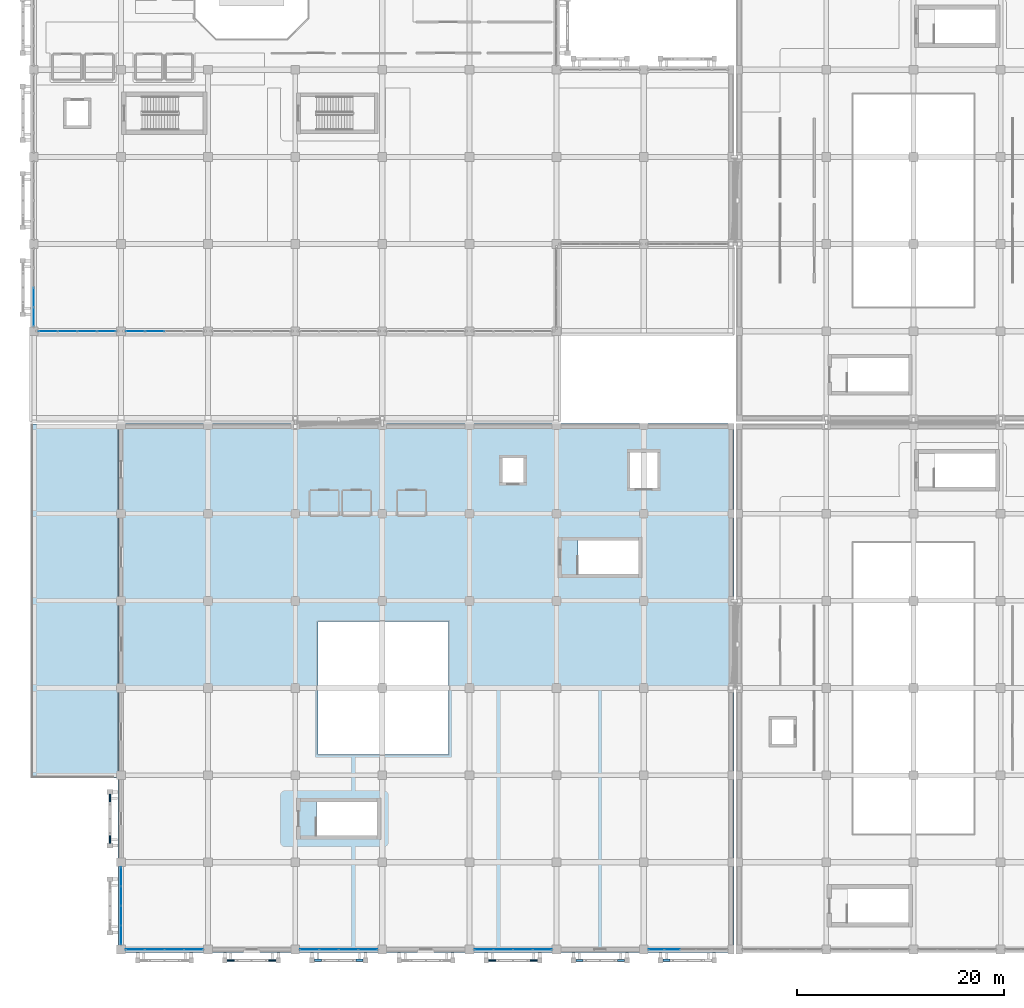
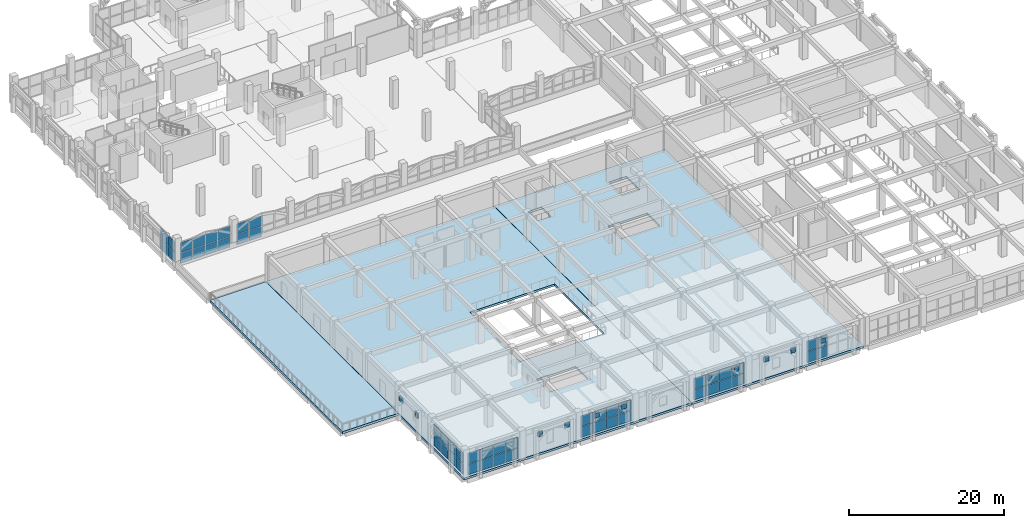
# One storey, part 83 of 129: 63 plates, 3 slabs, 8 elements without a shape of their own.
"""IFC4 building model written with IfcOpenShell, lengths in metres."""

import ifcopenshell
import ifcopenshell.guid

model = None  # the IFC model being written
_history = None  # IfcOwnerHistory: only IFC2X3 demands one
_inside = {}  # id of a spatial element -> (the spatial element, [elements in it])
_under = {}  # id of a project, library or spatial element -> (it, [spatial elements below it])
_declared = {}  # id of a project -> (the project, [libraries it declares])
_typed = {}  # id of a type object -> (the type object, [elements of that type])
_made_of = {}  # id of a material, layer set ... -> (it, [elements and type objects made of it])


def new_model(schema):
    """Start an empty IFC model of exactly this schema.

    Asked for "IFC4X3", IfcOpenShell would pick the latest addendum, in which some entities
    have other attributes; the version numbers below select the first issue.
    IFC2X3 requires an IfcOwnerHistory on every rooted entity: one is made here for all.
    """
    global model, _history
    if schema == "IFC4X3":
        model = ifcopenshell.file(schema_version=(4, 3, 0, 0))
    else:
        model = ifcopenshell.file(schema=schema)
    _inside.clear()
    _under.clear()
    _declared.clear()
    _typed.clear()
    _made_of.clear()
    _history = None
    if model.schema == "IFC2X3":
        org = make("IfcOrganization", Name="unknown")
        user = make(
            "IfcPersonAndOrganization",
            ThePerson=make("IfcPerson", FamilyName="unknown"),
            TheOrganization=org,
        )
        app = make(
            "IfcApplication",
            ApplicationDeveloper=org,
            Version="unknown",
            ApplicationFullName="unknown",
            ApplicationIdentifier="unknown",
        )
        _history = make(
            "IfcOwnerHistory",
            OwningUser=user,
            OwningApplication=app,
            ChangeAction="ADDED",
            CreationDate=0,
        )
    return model


def make(cls, **values):
    """One entity of the class cls with the attributes given. An attribute that is None is left unset."""
    return model.create_entity(
        cls, **{name: value for name, value in values.items() if value is not None}
    )


def rooted(cls, **values):
    """An entity with a GlobalId (a new one), such as an element, a storey or a relation."""
    return make(cls, GlobalId=ifcopenshell.guid.new(), OwnerHistory=_history, **values)


def si_unit(unit_type, name, prefix=None):
    """IfcSIUnit, for example si_unit("LENGTHUNIT", "METRE", prefix="MILLI")."""
    return make("IfcSIUnit", UnitType=unit_type, Prefix=prefix, Name=name)


def assignment(units):
    """IfcUnitAssignment: the units of a project."""
    return None if units is None else make("IfcUnitAssignment", Units=units)


def point(xyz):
    """IfcCartesianPoint."""
    return None if xyz is None else make("IfcCartesianPoint", Coordinates=xyz)


def direction(xyz):
    """IfcDirection."""
    return None if xyz is None else make("IfcDirection", DirectionRatios=xyz)


def frame(location, z_axis=None, x_axis=None):
    """IfcAxis2Placement3D, a coordinate frame: its origin and axes. An axis left out is left unset."""
    return make(
        "IfcAxis2Placement3D",
        Location=point(location),
        Axis=direction(z_axis),
        RefDirection=direction(x_axis),
    )


def frame_2d(location, x_axis=None):
    """IfcAxis2Placement2D, a coordinate frame in the plane: its origin and x axis."""
    return make(
        "IfcAxis2Placement2D", Location=point(location), RefDirection=direction(x_axis)
    )


def origin():
    """The frame at (0, 0, 0) with its axes left unset."""
    return frame((0.0, 0.0, 0.0))


def origin_2d():
    """The frame at (0, 0) in the plane with its x axis left unset."""
    return frame_2d((0.0, 0.0))


def place(relative_to, where):
    """IfcLocalPlacement: puts the frame where relative to a parent placement (None: the world)."""
    return make(
        "IfcLocalPlacement", PlacementRelTo=relative_to, RelativePlacement=where
    )


def context(
    kind, dimensions, precision=None, world=None, true_north=None, identifier=None
):
    """IfcGeometricRepresentationContext, for example the 3D "Model" context."""
    return make(
        "IfcGeometricRepresentationContext",
        ContextIdentifier=identifier,
        ContextType=kind,
        CoordinateSpaceDimension=dimensions,
        Precision=precision,
        WorldCoordinateSystem=world,
        TrueNorth=true_north,
    )


def subcontext(parent, identifier, kind, view, scale=None):
    """IfcGeometricRepresentationSubContext, for example "Body" below "Model"."""
    return make(
        "IfcGeometricRepresentationSubContext",
        ContextIdentifier=identifier,
        ContextType=kind,
        ParentContext=parent,
        TargetScale=scale,
        TargetView=view,
    )


def project(units=None, contexts=None):
    """IfcProject with its units and contexts."""
    return rooted(
        "IfcProject",
        Name="project",
        RepresentationContexts=contexts,
        UnitsInContext=assignment(units),
    )


def spatial(cls, under=None, at=None, **own):
    """A site, building, storey or space (cls), placed at a placement, below another one or the project."""
    s = rooted(cls, ObjectPlacement=at, **own)
    if under is not None:
        _under.setdefault(under.id(), (under, []))[1].append(s)
    return s


def polyline(points):
    """IfcPolyline through the points."""
    return make("IfcPolyline", Points=[point(p) for p in points])


def profile(cls, at=None, kind="AREA", **sizes):
    """A parametric profile (cls). Its sizes go by their IFC names, for example OverallWidth=200.0."""
    return make(cls, ProfileType=kind, Position=at, **sizes)


def rectangle(**sizes):
    """IfcRectangleProfileDef."""
    return profile("IfcRectangleProfileDef", **sizes)


def outline(outer, holes=None, kind="AREA"):
    """IfcArbitraryClosedProfileDef: a profile drawn as a closed curve; with holes, ...WithVoids."""
    if holes is None:
        return make("IfcArbitraryClosedProfileDef", ProfileType=kind, OuterCurve=outer)
    return make(
        "IfcArbitraryProfileDefWithVoids",
        ProfileType=kind,
        OuterCurve=outer,
        InnerCurves=holes,
    )


def extrude(swept, where, along, depth):
    """IfcExtrudedAreaSolid: the profile swept, set in the frame where, extruded along a direction by depth."""
    return make(
        "IfcExtrudedAreaSolid",
        SweptArea=swept,
        Position=where,
        ExtrudedDirection=direction(along),
        Depth=depth,
    )


def shape(context_of_items, identifier, shape_type, items):
    """IfcShapeRepresentation: the items that make up one representation, for example the "Body"."""
    return make(
        "IfcShapeRepresentation",
        ContextOfItems=context_of_items,
        RepresentationIdentifier=identifier,
        RepresentationType=shape_type,
        Items=items,
    )


def material(Name=None, Category=None):
    """IfcMaterial."""
    return make("IfcMaterial", Name=Name, Category=Category)


def layer(
    of_material, thickness, ventilated=None, Name=None, Category=None, Priority=None
):
    """IfcMaterialLayer: one layer of a wall or slab, of a material (None: an air gap)."""
    return make(
        "IfcMaterialLayer",
        Material=of_material,
        LayerThickness=thickness,
        IsVentilated=ventilated,
        Name=Name,
        Category=Category,
        Priority=Priority,
    )


def layer_set(layers, Name=None):
    """IfcMaterialLayerSet."""
    return make("IfcMaterialLayerSet", MaterialLayers=layers, LayerSetName=Name)


def made_of(thing, what):
    """Note that an element or type object is made of a material, layer set ...; save() writes the relation."""
    if what is not None:
        _made_of.setdefault(what.id(), (what, []))[1].append(thing)
    return thing


def type_object(cls, material=None, **own):
    """A type object (cls), such as IfcWallType, which elements share."""
    return made_of(rooted(cls, **own), material)


def element(
    cls,
    number,
    at=None,
    inside=None,
    cuts=None,
    type_object=None,
    material=None,
    context=None,
    identifier="Body",
    shape_type=None,
    held_by="IfcProductDefinitionShape",
    body=None,
    shapes=None,
    **own,
):
    """One element of the class cls, such as IfcWall. Its Tag is "e" and its number.

    at: its placement. inside: the storey or other place that contains it. cuts: it is an
    opening in that element (IfcRelVoidsElement). A single representation is given by context,
    identifier, shape_type and body (its items); several are given by shapes. held_by: the class
    of the entity that holds the representations. save() writes the other relations.
    """
    e = rooted(cls, Tag="e%d" % number, ObjectPlacement=at, **own)
    if body is not None:
        shapes = [shape(context, identifier, shape_type, body)]
    if shapes is not None:
        e.Representation = make(held_by, Representations=shapes)
    if inside is not None:
        _inside.setdefault(inside.id(), (inside, []))[1].append(e)
    if cuts is not None:
        rooted(
            "IfcRelVoidsElement", RelatingBuildingElement=cuts, RelatedOpeningElement=e
        )
    if type_object is not None:
        _typed.setdefault(type_object.id(), (type_object, []))[1].append(e)
    return made_of(e, material)


def aggregate(whole, parts):
    """IfcRelAggregates: a whole, such as a stair, and the parts it consists of."""
    return rooted("IfcRelAggregates", RelatingObject=whole, RelatedObjects=parts)


def save(model, path):
    """Write the relations noted so far, then the file.

    IfcRelAggregates (storeys below a building ...), IfcRelContainedInSpatialStructure (elements
    in a storey), IfcRelDefinesByType, IfcRelAssociatesMaterial and IfcRelDeclares: one each for
    every whole, place, type object, material and project.
    """
    for whole, parts in _under.values():
        aggregate(whole, parts)
    for where, things in _inside.values():
        rooted(
            "IfcRelContainedInSpatialStructure",
            RelatedElements=things,
            RelatingStructure=where,
        )
    for kind, things in _typed.values():
        rooted("IfcRelDefinesByType", RelatedObjects=things, RelatingType=kind)
    for what, things in _made_of.values():
        rooted("IfcRelAssociatesMaterial", RelatedObjects=things, RelatingMaterial=what)
    for by, libraries in _declared.values():
        rooted("IfcRelDeclares", RelatingContext=by, RelatedDefinitions=libraries)
    model.write(path)


model = new_model("IFC4")

# Units and contexts
model_context = context("Model", 3, precision=1e-05, world=origin(), true_north=direction((0.0, 1.0)))
body_context = subcontext(model_context, "Body", "Model", "MODEL_VIEW")
ifc_project = project(units=[si_unit("LENGTHUNIT", "METRE"), si_unit("AREAUNIT", "SQUARE_METRE"), si_unit("VOLUMEUNIT", "CUBIC_METRE"), si_unit("PLANEANGLEUNIT", "RADIAN"), si_unit("MASSUNIT", "GRAM", prefix="KILO")], contexts=[model_context])

# Site, building, storey
site_placement = place(None, origin())
site = spatial("IfcSite", under=ifc_project, at=site_placement, CompositionType="ELEMENT")
building_placement = place(site_placement, origin())
building = spatial("IfcBuilding", under=site, at=building_placement, Name="Xazarin Passage Department Store", CompositionType="ELEMENT")
storey_placement = place(building_placement, frame((0.0, 0.0, 9.89990234375)))
storey = spatial("IfcBuildingStorey", under=building, at=storey_placement, Name="L02", CompositionType="ELEMENT", Elevation=9.89990234375)

# Curtain wall, plates
ifc_material_1 = material(Name="Bronze anodised aluminium", Category="aluminium")
ifc_layer_1 = layer(ifc_material_1, 0.18994140625)
ifc_layer_set_1 = layer_set([ifc_layer_1], Name="Bronze anodised aluminium")
curtain_wall_type_1 = type_object("IfcCurtainWallType", Name="ARC-CW-FDH1", PredefinedType="NOTDEFINED", material=ifc_layer_set_1)
curtain_wall_1_placement = place(storey_placement, origin())
curtain_wall_1 = element("IfcCurtainWall", 1, at=curtain_wall_1_placement, inside=storey, type_object=curtain_wall_type_1, Name="L02 V3 Curtain Wall 130", PredefinedType="NOTDEFINED")
ifc_material_2 = material(Name="Low-E laminated safety glass", Category="glass")
ifc_layer_2 = layer(ifc_material_2, 0.028076171875)
ifc_layer_set_2 = layer_set([ifc_layer_2], Name="Low-E laminated safety glass")
plate_type_1 = type_object("IfcPlateType", Name="ARC-CWP-GLZ28", PredefinedType="CURTAIN_PANEL", material=ifc_layer_set_2)
plate_1_placement = place(storey_placement, frame((9.784912109375, 0.0, 0.065185546875), z_axis=(0.0, 0.0, 1.0), x_axis=(1.0, 0.0, 0.0)))
plate_1 = element("IfcPlate", 2, at=plate_1_placement, type_object=plate_type_1, Name="CW5 panel 1.1", PredefinedType="CURTAIN_PANEL", context=body_context, shape_type="SweptSolid", body=[
    extrude(rectangle(XDim=1.7900390625, YDim=0.028076171875, at=origin_2d()), origin(), (0.0, 0.0, 1.0), 1.6474609375),
])
plate_2_placement = place(storey_placement, frame((9.784912109375, 0.0, 1.777587890625), z_axis=(0.0, 0.0, 1.0), x_axis=(1.0, 0.0, 0.0)))
plate_2 = element("IfcPlate", 3, at=plate_2_placement, type_object=plate_type_1, Name="CW5 panel 1.2", PredefinedType="CURTAIN_PANEL", context=body_context, shape_type="SweptSolid", body=[
    extrude(rectangle(XDim=1.7900390625, YDim=0.028076171875, at=origin_2d()), origin(), (0.0, 0.0, 1.0), 1.6474609375),
])
plate_3_placement = place(storey_placement, frame((11.65625, 0.0, 0.065185546875), z_axis=(0.0, 0.0, 1.0), x_axis=(1.0, 0.0, 0.0)))
plate_3 = element("IfcPlate", 4, at=plate_3_placement, type_object=plate_type_1, Name="CW5 panel 2.1", PredefinedType="CURTAIN_PANEL", context=body_context, shape_type="SweptSolid", body=[
    extrude(rectangle(XDim=1.822509765625, YDim=0.028076171875, at=origin_2d()), origin(), (0.0, 0.0, 1.0), 1.6474609375),
])
plate_4_placement = place(storey_placement, frame((11.65625, 0.0, 1.777587890625), z_axis=(0.0, 0.0, 1.0), x_axis=(1.0, 0.0, 0.0)))
plate_4 = element("IfcPlate", 5, at=plate_4_placement, type_object=plate_type_1, Name="CW5 panel 2.2", PredefinedType="CURTAIN_PANEL", context=body_context, shape_type="SweptSolid", body=[
    extrude(rectangle(XDim=1.822509765625, YDim=0.028076171875, at=origin_2d()), origin(), (0.0, 0.0, 1.0), 1.6474609375),
])
plate_5_placement = place(storey_placement, frame((13.543701171875, 0.0, 0.065185546875), z_axis=(0.0, 0.0, 1.0), x_axis=(1.0, 0.0, 0.0)))
plate_5 = element("IfcPlate", 6, at=plate_5_placement, type_object=plate_type_1, Name="CW5 panel 3.1", PredefinedType="CURTAIN_PANEL", context=body_context, shape_type="SweptSolid", body=[
    extrude(rectangle(XDim=1.822509765625, YDim=0.028076171875, at=origin_2d()), origin(), (0.0, 0.0, 1.0), 1.6474609375),
])
plate_6_placement = place(storey_placement, frame((13.543701171875, 0.0, 1.777587890625), z_axis=(0.0, 0.0, 1.0), x_axis=(1.0, 0.0, 0.0)))
plate_6 = element("IfcPlate", 7, at=plate_6_placement, type_object=plate_type_1, Name="CW5 panel 3.2", PredefinedType="CURTAIN_PANEL", context=body_context, shape_type="SweptSolid", body=[
    extrude(rectangle(XDim=1.822509765625, YDim=0.028076171875, at=origin_2d()), origin(), (0.0, 0.0, 1.0), 1.6474609375),
])
plate_7_placement = place(storey_placement, frame((15.4150390625, 0.0, 0.065185546875), z_axis=(0.0, 0.0, 1.0), x_axis=(1.0, 0.0, 0.0)))
plate_7 = element("IfcPlate", 8, at=plate_7_placement, type_object=plate_type_1, Name="CW5 panel 4.1", PredefinedType="CURTAIN_PANEL", context=body_context, shape_type="SweptSolid", body=[
    extrude(rectangle(XDim=1.7900390625, YDim=0.028076171875, at=origin_2d()), origin(), (0.0, 0.0, 1.0), 1.6474609375),
])
plate_8_placement = place(storey_placement, frame((15.4150390625, 0.0, 1.777587890625), z_axis=(0.0, 0.0, 1.0), x_axis=(1.0, 0.0, 0.0)))
plate_8 = element("IfcPlate", 9, at=plate_8_placement, type_object=plate_type_1, Name="CW5 panel 4.2", PredefinedType="CURTAIN_PANEL", context=body_context, shape_type="SweptSolid", body=[
    extrude(rectangle(XDim=1.7900390625, YDim=0.028076171875, at=origin_2d()), origin(), (0.0, 0.0, 1.0), 1.6474609375),
])
aggregate(curtain_wall_1, [plate_1, plate_2, plate_3, plate_4, plate_5, plate_6, plate_7, plate_8])

curtain_wall_2_placement = place(storey_placement, origin())
curtain_wall_2 = element("IfcCurtainWall", 10, at=curtain_wall_2_placement, inside=storey, type_object=curtain_wall_type_1, Name="L02 V3 Curtain Wall 131", PredefinedType="NOTDEFINED")
plate_9_placement = place(storey_placement, frame((26.5849609375, 0.0, 0.065185546875), z_axis=(0.0, 0.0, 1.0), x_axis=(1.0, 0.0, 0.0)))
plate_9 = element("IfcPlate", 11, at=plate_9_placement, type_object=plate_type_1, Name="CW5 panel 1.1", PredefinedType="CURTAIN_PANEL", context=body_context, shape_type="SweptSolid", body=[
    extrude(rectangle(XDim=1.7900390625, YDim=0.028076171875, at=origin_2d()), origin(), (0.0, 0.0, 1.0), 1.6474609375),
])
plate_10_placement = place(storey_placement, frame((26.5849609375, 0.0, 1.777587890625), z_axis=(0.0, 0.0, 1.0), x_axis=(1.0, 0.0, 0.0)))
plate_10 = element("IfcPlate", 12, at=plate_10_placement, type_object=plate_type_1, Name="CW5 panel 1.2", PredefinedType="CURTAIN_PANEL", context=body_context, shape_type="SweptSolid", body=[
    extrude(rectangle(XDim=1.7900390625, YDim=0.028076171875, at=origin_2d()), origin(), (0.0, 0.0, 1.0), 1.6474609375),
])
plate_11_placement = place(storey_placement, frame((28.456298828125, 0.0, 0.065185546875), z_axis=(0.0, 0.0, 1.0), x_axis=(1.0, 0.0, 0.0)))
plate_11 = element("IfcPlate", 13, at=plate_11_placement, type_object=plate_type_1, Name="CW5 panel 2.1", PredefinedType="CURTAIN_PANEL", context=body_context, shape_type="SweptSolid", body=[
    extrude(rectangle(XDim=1.822509765625, YDim=0.028076171875, at=origin_2d()), origin(), (0.0, 0.0, 1.0), 1.6474609375),
])
plate_12_placement = place(storey_placement, frame((28.456298828125, 0.0, 1.777587890625), z_axis=(0.0, 0.0, 1.0), x_axis=(1.0, 0.0, 0.0)))
plate_12 = element("IfcPlate", 14, at=plate_12_placement, type_object=plate_type_1, Name="CW5 panel 2.2", PredefinedType="CURTAIN_PANEL", context=body_context, shape_type="SweptSolid", body=[
    extrude(rectangle(XDim=1.822509765625, YDim=0.028076171875, at=origin_2d()), origin(), (0.0, 0.0, 1.0), 1.6474609375),
])
plate_13_placement = place(storey_placement, frame((30.34375, 0.0, 0.065185546875), z_axis=(0.0, 0.0, 1.0), x_axis=(1.0, 0.0, 0.0)))
plate_13 = element("IfcPlate", 15, at=plate_13_placement, type_object=plate_type_1, Name="CW5 panel 3.1", PredefinedType="CURTAIN_PANEL", context=body_context, shape_type="SweptSolid", body=[
    extrude(rectangle(XDim=1.822509765625, YDim=0.028076171875, at=origin_2d()), origin(), (0.0, 0.0, 1.0), 1.6474609375),
])
plate_14_placement = place(storey_placement, frame((30.34375, 0.0, 1.777587890625), z_axis=(0.0, 0.0, 1.0), x_axis=(1.0, 0.0, 0.0)))
plate_14 = element("IfcPlate", 16, at=plate_14_placement, type_object=plate_type_1, Name="CW5 panel 3.2", PredefinedType="CURTAIN_PANEL", context=body_context, shape_type="SweptSolid", body=[
    extrude(rectangle(XDim=1.822509765625, YDim=0.028076171875, at=origin_2d()), origin(), (0.0, 0.0, 1.0), 1.6474609375),
])
plate_15_placement = place(storey_placement, frame((32.215087890625, 0.0, 0.065185546875), z_axis=(0.0, 0.0, 1.0), x_axis=(1.0, 0.0, 0.0)))
plate_15 = element("IfcPlate", 17, at=plate_15_placement, type_object=plate_type_1, Name="CW5 panel 4.1", PredefinedType="CURTAIN_PANEL", context=body_context, shape_type="SweptSolid", body=[
    extrude(rectangle(XDim=1.7900390625, YDim=0.028076171875, at=origin_2d()), origin(), (0.0, 0.0, 1.0), 1.6474609375),
])
plate_16_placement = place(storey_placement, frame((32.215087890625, 0.0, 1.777587890625), z_axis=(0.0, 0.0, 1.0), x_axis=(1.0, 0.0, 0.0)))
plate_16 = element("IfcPlate", 18, at=plate_16_placement, type_object=plate_type_1, Name="CW5 panel 4.2", PredefinedType="CURTAIN_PANEL", context=body_context, shape_type="SweptSolid", body=[
    extrude(rectangle(XDim=1.7900390625, YDim=0.028076171875, at=origin_2d()), origin(), (0.0, 0.0, 1.0), 1.6474609375),
])
aggregate(curtain_wall_2, [plate_9, plate_10, plate_11, plate_12, plate_13, plate_14, plate_15, plate_16])

curtain_wall_3_placement = place(storey_placement, origin())
curtain_wall_3 = element("IfcCurtainWall", 19, at=curtain_wall_3_placement, inside=storey, type_object=curtain_wall_type_1, Name="L02 V3 Curtain Wall 132", PredefinedType="NOTDEFINED")
plate_17_placement = place(storey_placement, frame((43.385009765625, 0.0, 0.065185546875), z_axis=(0.0, 0.0, 1.0), x_axis=(1.0, 0.0, 0.0)))
plate_17 = element("IfcPlate", 20, at=plate_17_placement, type_object=plate_type_1, Name="CW5 panel 1.1", PredefinedType="CURTAIN_PANEL", context=body_context, shape_type="SweptSolid", body=[
    extrude(rectangle(XDim=1.7900390625, YDim=0.028076171875, at=origin_2d()), origin(), (0.0, 0.0, 1.0), 1.6474609375),
])
plate_18_placement = place(storey_placement, frame((43.385009765625, 0.0, 1.777587890625), z_axis=(0.0, 0.0, 1.0), x_axis=(1.0, 0.0, 0.0)))
plate_18 = element("IfcPlate", 21, at=plate_18_placement, type_object=plate_type_1, Name="CW5 panel 1.2", PredefinedType="CURTAIN_PANEL", context=body_context, shape_type="SweptSolid", body=[
    extrude(rectangle(XDim=1.7900390625, YDim=0.028076171875, at=origin_2d()), origin(), (0.0, 0.0, 1.0), 1.6474609375),
])
plate_19_placement = place(storey_placement, frame((45.25634765625, 0.0, 0.065185546875), z_axis=(0.0, 0.0, 1.0), x_axis=(1.0, 0.0, 0.0)))
plate_19 = element("IfcPlate", 22, at=plate_19_placement, type_object=plate_type_1, Name="CW5 panel 2.1", PredefinedType="CURTAIN_PANEL", context=body_context, shape_type="SweptSolid", body=[
    extrude(rectangle(XDim=1.822509765625, YDim=0.028076171875, at=origin_2d()), origin(), (0.0, 0.0, 1.0), 1.6474609375),
])
plate_20_placement = place(storey_placement, frame((45.25634765625, 0.0, 1.777587890625), z_axis=(0.0, 0.0, 1.0), x_axis=(1.0, 0.0, 0.0)))
plate_20 = element("IfcPlate", 23, at=plate_20_placement, type_object=plate_type_1, Name="CW5 panel 2.2", PredefinedType="CURTAIN_PANEL", context=body_context, shape_type="SweptSolid", body=[
    extrude(rectangle(XDim=1.822509765625, YDim=0.028076171875, at=origin_2d()), origin(), (0.0, 0.0, 1.0), 1.6474609375),
])
plate_21_placement = place(storey_placement, frame((47.143798828125, 0.0, 0.065185546875), z_axis=(0.0, 0.0, 1.0), x_axis=(1.0, 0.0, 0.0)))
plate_21 = element("IfcPlate", 24, at=plate_21_placement, type_object=plate_type_1, Name="CW5 panel 3.1", PredefinedType="CURTAIN_PANEL", context=body_context, shape_type="SweptSolid", body=[
    extrude(rectangle(XDim=1.822509765625, YDim=0.028076171875, at=origin_2d()), origin(), (0.0, 0.0, 1.0), 1.6474609375),
])
plate_22_placement = place(storey_placement, frame((47.143798828125, 0.0, 1.777587890625), z_axis=(0.0, 0.0, 1.0), x_axis=(1.0, 0.0, 0.0)))
plate_22 = element("IfcPlate", 25, at=plate_22_placement, type_object=plate_type_1, Name="CW5 panel 3.2", PredefinedType="CURTAIN_PANEL", context=body_context, shape_type="SweptSolid", body=[
    extrude(rectangle(XDim=1.822509765625, YDim=0.028076171875, at=origin_2d()), origin(), (0.0, 0.0, 1.0), 1.6474609375),
])
plate_23_placement = place(storey_placement, frame((49.014892578125, 0.0, 0.065185546875), z_axis=(0.0, 0.0, 1.0), x_axis=(1.0, 0.0, 0.0)))
plate_23 = element("IfcPlate", 26, at=plate_23_placement, type_object=plate_type_1, Name="CW5 panel 4.1", PredefinedType="CURTAIN_PANEL", context=body_context, shape_type="SweptSolid", body=[
    extrude(rectangle(XDim=1.7900390625, YDim=0.028076171875, at=origin_2d()), origin(), (0.0, 0.0, 1.0), 1.6474609375),
])
plate_24_placement = place(storey_placement, frame((49.014892578125, 0.0, 1.777587890625), z_axis=(0.0, 0.0, 1.0), x_axis=(1.0, 0.0, 0.0)))
plate_24 = element("IfcPlate", 27, at=plate_24_placement, type_object=plate_type_1, Name="CW5 panel 4.2", PredefinedType="CURTAIN_PANEL", context=body_context, shape_type="SweptSolid", body=[
    extrude(rectangle(XDim=1.7900390625, YDim=0.028076171875, at=origin_2d()), origin(), (0.0, 0.0, 1.0), 1.6474609375),
])
aggregate(curtain_wall_3, [plate_17, plate_18, plate_19, plate_20, plate_21, plate_22, plate_23, plate_24])

curtain_wall_4_placement = place(storey_placement, origin())
curtain_wall_4 = element("IfcCurtainWall", 28, at=curtain_wall_4_placement, inside=storey, type_object=curtain_wall_type_1, Name="L02 V3 Curtain Wall 133", PredefinedType="NOTDEFINED")
plate_25_placement = place(storey_placement, frame((60.0087890625, 0.0, 0.065185546875), z_axis=(0.0, 0.0, 1.0), x_axis=(1.0, 0.0, 0.0)))
plate_25 = element("IfcPlate", 29, at=plate_25_placement, type_object=plate_type_1, Name="CW5 panel 1.1", PredefinedType="CURTAIN_PANEL", context=body_context, shape_type="SweptSolid", body=[
    extrude(rectangle(XDim=1.4375, YDim=0.028076171875, at=origin_2d()), origin(), (0.0, 0.0, 1.0), 1.6474609375),
])
plate_26_placement = place(storey_placement, frame((60.0087890625, 0.0, 1.777587890625), z_axis=(0.0, 0.0, 1.0), x_axis=(1.0, 0.0, 0.0)))
plate_26 = element("IfcPlate", 30, at=plate_26_placement, type_object=plate_type_1, Name="CW5 panel 1.2", PredefinedType="CURTAIN_PANEL", context=body_context, shape_type="SweptSolid", body=[
    extrude(rectangle(XDim=1.4375, YDim=0.028076171875, at=origin_2d()), origin(), (0.0, 0.0, 1.0), 1.6474609375),
])
plate_27_placement = place(storey_placement, frame((61.527587890625, 0.0, 0.065185546875), z_axis=(0.0, 0.0, 1.0), x_axis=(1.0, 0.0, 0.0)))
plate_27 = element("IfcPlate", 31, at=plate_27_placement, type_object=plate_type_1, Name="CW5 panel 2.1", PredefinedType="CURTAIN_PANEL", context=body_context, shape_type="SweptSolid", body=[
    extrude(rectangle(XDim=1.469970703125, YDim=0.028076171875, at=origin_2d()), origin(), (0.0, 0.0, 1.0), 1.6474609375),
])
plate_28_placement = place(storey_placement, frame((61.527587890625, 0.0, 1.777587890625), z_axis=(0.0, 0.0, 1.0), x_axis=(1.0, 0.0, 0.0)))
plate_28 = element("IfcPlate", 32, at=plate_28_placement, type_object=plate_type_1, Name="CW5 panel 2.2", PredefinedType="CURTAIN_PANEL", context=body_context, shape_type="SweptSolid", body=[
    extrude(rectangle(XDim=1.469970703125, YDim=0.028076171875, at=origin_2d()), origin(), (0.0, 0.0, 1.0), 1.6474609375),
])
aggregate(curtain_wall_4, [plate_25, plate_26, plate_27, plate_28])

curtain_wall_5_placement = place(storey_placement, origin())
curtain_wall_5 = element("IfcCurtainWall", 33, at=curtain_wall_5_placement, inside=storey, type_object=curtain_wall_type_1, Name="L02 V3 Curtain Wall 134", PredefinedType="NOTDEFINED")
plate_29_placement = place(storey_placement, frame((8.39990234375, 1.385009765625, 0.065185546875), z_axis=(0.0, 0.0, 1.0), x_axis=(0.0, 1.0, 0.0)))
plate_29 = element("IfcPlate", 34, at=plate_29_placement, type_object=plate_type_1, Name="CW5 panel 1.1", PredefinedType="CURTAIN_PANEL", context=body_context, shape_type="SweptSolid", body=[
    extrude(rectangle(XDim=1.7900390625, YDim=0.028076171875, at=origin_2d()), origin(), (0.0, 0.0, 1.0), 1.6474609375),
])
plate_30_placement = place(storey_placement, frame((8.39990234375, 1.385009765625, 1.777587890625), z_axis=(0.0, 0.0, 1.0), x_axis=(0.0, 1.0, 0.0)))
plate_30 = element("IfcPlate", 35, at=plate_30_placement, type_object=plate_type_1, Name="CW5 panel 1.2", PredefinedType="CURTAIN_PANEL", context=body_context, shape_type="SweptSolid", body=[
    extrude(rectangle(XDim=1.7900390625, YDim=0.028076171875, at=origin_2d()), origin(), (0.0, 0.0, 1.0), 1.6474609375),
])
plate_31_placement = place(storey_placement, frame((8.39990234375, 3.25634765625, 0.065185546875), z_axis=(0.0, 0.0, 1.0), x_axis=(0.0, 1.0, 0.0)))
plate_31 = element("IfcPlate", 36, at=plate_31_placement, type_object=plate_type_1, Name="CW5 panel 2.1", PredefinedType="CURTAIN_PANEL", context=body_context, shape_type="SweptSolid", body=[
    extrude(rectangle(XDim=1.822509765625, YDim=0.028076171875, at=origin_2d()), origin(), (0.0, 0.0, 1.0), 1.6474609375),
])
plate_32_placement = place(storey_placement, frame((8.39990234375, 3.25634765625, 1.777587890625), z_axis=(0.0, 0.0, 1.0), x_axis=(0.0, 1.0, 0.0)))
plate_32 = element("IfcPlate", 37, at=plate_32_placement, type_object=plate_type_1, Name="CW5 panel 2.2", PredefinedType="CURTAIN_PANEL", context=body_context, shape_type="SweptSolid", body=[
    extrude(rectangle(XDim=1.822509765625, YDim=0.028076171875, at=origin_2d()), origin(), (0.0, 0.0, 1.0), 1.6474609375),
])
plate_33_placement = place(storey_placement, frame((8.39990234375, 5.143798828125, 0.065185546875), z_axis=(0.0, 0.0, 1.0), x_axis=(0.0, 1.0, 0.0)))
plate_33 = element("IfcPlate", 38, at=plate_33_placement, type_object=plate_type_1, Name="CW5 panel 3.1", PredefinedType="CURTAIN_PANEL", context=body_context, shape_type="SweptSolid", body=[
    extrude(rectangle(XDim=1.822509765625, YDim=0.028076171875, at=origin_2d()), origin(), (0.0, 0.0, 1.0), 1.6474609375),
])
plate_34_placement = place(storey_placement, frame((8.39990234375, 5.143798828125, 1.777587890625), z_axis=(0.0, 0.0, 1.0), x_axis=(0.0, 1.0, 0.0)))
plate_34 = element("IfcPlate", 39, at=plate_34_placement, type_object=plate_type_1, Name="CW5 panel 3.2", PredefinedType="CURTAIN_PANEL", context=body_context, shape_type="SweptSolid", body=[
    extrude(rectangle(XDim=1.822509765625, YDim=0.028076171875, at=origin_2d()), origin(), (0.0, 0.0, 1.0), 1.6474609375),
])
plate_35_placement = place(storey_placement, frame((8.39990234375, 7.014892578125, 0.065185546875), z_axis=(0.0, 0.0, 1.0), x_axis=(0.0, 1.0, 0.0)))
plate_35 = element("IfcPlate", 40, at=plate_35_placement, type_object=plate_type_1, Name="CW5 panel 4.1", PredefinedType="CURTAIN_PANEL", context=body_context, shape_type="SweptSolid", body=[
    extrude(rectangle(XDim=1.7900390625, YDim=0.028076171875, at=origin_2d()), origin(), (0.0, 0.0, 1.0), 1.6474609375),
])
plate_36_placement = place(storey_placement, frame((8.39990234375, 7.014892578125, 1.777587890625), z_axis=(0.0, 0.0, 1.0), x_axis=(0.0, 1.0, 0.0)))
plate_36 = element("IfcPlate", 41, at=plate_36_placement, type_object=plate_type_1, Name="CW5 panel 4.2", PredefinedType="CURTAIN_PANEL", context=body_context, shape_type="SweptSolid", body=[
    extrude(rectangle(XDim=1.7900390625, YDim=0.028076171875, at=origin_2d()), origin(), (0.0, 0.0, 1.0), 1.6474609375),
])
aggregate(curtain_wall_5, [plate_29, plate_30, plate_31, plate_32, plate_33, plate_34, plate_35, plate_36])

ifc_layer_3 = layer(ifc_material_1, 0.199951171875)
ifc_layer_set_3 = layer_set([ifc_layer_3], Name="Bronze anodised aluminium")
curtain_wall_type_2 = type_object("IfcCurtainWallType", Name="ARC-CW-VIT2", PredefinedType="NOTDEFINED", material=ifc_layer_set_3)
curtain_wall_6_placement = place(storey_placement, origin())
curtain_wall_6 = element("IfcCurtainWall", 42, at=curtain_wall_6_placement, inside=storey, type_object=curtain_wall_type_2, Name="L02 V1 Curtain Wall 029", PredefinedType="NOTDEFINED")
ifc_layer_4 = layer(ifc_material_2, 0.031982421875)
ifc_layer_set_4 = layer_set([ifc_layer_4], Name="Low-E laminated safety glass")
plate_type_2 = type_object("IfcPlateType", Name="ARC-CWP-GLZ32", PredefinedType="CURTAIN_PANEL", material=ifc_layer_set_4)
plate_37_placement = place(storey_placement, frame((1.387451171875, 59.60009765625, 0.0751953125), z_axis=(0.0, 0.0, 1.0), x_axis=(1.0, 0.0, 0.0)))
plate_37 = element("IfcPlate", 43, at=plate_37_placement, type_object=plate_type_2, Name="CW2 panel 1.1", PredefinedType="CURTAIN_PANEL", context=body_context, shape_type="SweptSolid", body=[
    extrude(rectangle(XDim=1.77490234375, YDim=0.031982421875, at=origin_2d()), origin(), (0.0, 0.0, 1.0), 1.612548828125),
])
plate_38_placement = place(storey_placement, frame((1.387451171875, 59.60009765625, 1.7626953125), z_axis=(0.0, 0.0, 1.0), x_axis=(1.0, 0.0, 0.0)))
plate_38 = element("IfcPlate", 44, at=plate_38_placement, type_object=plate_type_2, Name="CW2 panel 1.2", PredefinedType="CURTAIN_PANEL", context=body_context, shape_type="SweptSolid", body=[
    extrude(rectangle(XDim=1.77490234375, YDim=0.031982421875, at=origin_2d()), origin(), (0.0, 0.0, 1.0), 1.612548828125),
])
plate_39_placement = place(storey_placement, frame((3.25634765625, 59.60009765625, 0.0751953125), z_axis=(0.0, 0.0, 1.0), x_axis=(1.0, 0.0, 0.0)))
plate_39 = element("IfcPlate", 45, at=plate_39_placement, type_object=plate_type_2, Name="CW2 panel 2.1", PredefinedType="CURTAIN_PANEL", context=body_context, shape_type="SweptSolid", body=[
    extrude(rectangle(XDim=1.8125, YDim=0.031982421875, at=origin_2d()), origin(), (0.0, 0.0, 1.0), 1.612548828125),
])
plate_40_placement = place(storey_placement, frame((3.25634765625, 59.60009765625, 1.7626953125), z_axis=(0.0, 0.0, 1.0), x_axis=(1.0, 0.0, 0.0)))
plate_40 = element("IfcPlate", 46, at=plate_40_placement, type_object=plate_type_2, Name="CW2 panel 2.2", PredefinedType="CURTAIN_PANEL", context=body_context, shape_type="SweptSolid", body=[
    extrude(rectangle(XDim=1.8125, YDim=0.031982421875, at=origin_2d()), origin(), (0.0, 0.0, 1.0), 1.612548828125),
])
plate_41_placement = place(storey_placement, frame((5.143798828125, 59.60009765625, 0.0751953125), z_axis=(0.0, 0.0, 1.0), x_axis=(1.0, 0.0, 0.0)))
plate_41 = element("IfcPlate", 47, at=plate_41_placement, type_object=plate_type_2, Name="CW2 panel 3.1", PredefinedType="CURTAIN_PANEL", context=body_context, shape_type="SweptSolid", body=[
    extrude(rectangle(XDim=1.8125, YDim=0.031982421875, at=origin_2d()), origin(), (0.0, 0.0, 1.0), 1.612548828125),
])
plate_42_placement = place(storey_placement, frame((5.143798828125, 59.60009765625, 1.7626953125), z_axis=(0.0, 0.0, 1.0), x_axis=(1.0, 0.0, 0.0)))
plate_42 = element("IfcPlate", 48, at=plate_42_placement, type_object=plate_type_2, Name="CW2 panel 3.2", PredefinedType="CURTAIN_PANEL", context=body_context, shape_type="SweptSolid", body=[
    extrude(rectangle(XDim=1.8125, YDim=0.031982421875, at=origin_2d()), origin(), (0.0, 0.0, 1.0), 1.612548828125),
])
plate_43_placement = place(storey_placement, frame((7.012451171875, 59.60009765625, 0.0751953125), z_axis=(0.0, 0.0, 1.0), x_axis=(1.0, 0.0, 0.0)))
plate_43 = element("IfcPlate", 49, at=plate_43_placement, type_object=plate_type_2, Name="CW2 panel 4.1", PredefinedType="CURTAIN_PANEL", context=body_context, shape_type="SweptSolid", body=[
    extrude(rectangle(XDim=1.77490234375, YDim=0.031982421875, at=origin_2d()), origin(), (0.0, 0.0, 1.0), 1.612548828125),
])
plate_44_placement = place(storey_placement, frame((7.012451171875, 59.60009765625, 1.7626953125), z_axis=(0.0, 0.0, 1.0), x_axis=(1.0, 0.0, 0.0)))
plate_44 = element("IfcPlate", 50, at=plate_44_placement, type_object=plate_type_2, Name="CW2 panel 4.2", PredefinedType="CURTAIN_PANEL", context=body_context, shape_type="SweptSolid", body=[
    extrude(rectangle(XDim=1.77490234375, YDim=0.031982421875, at=origin_2d()), origin(), (0.0, 0.0, 1.0), 1.612548828125),
])
aggregate(curtain_wall_6, [plate_37, plate_38, plate_39, plate_40, plate_41, plate_42, plate_43, plate_44])

curtain_wall_7_placement = place(storey_placement, origin())
curtain_wall_7 = element("IfcCurtainWall", 51, at=curtain_wall_7_placement, inside=storey, type_object=curtain_wall_type_2, Name="L02 V1 Curtain Wall 030", PredefinedType="NOTDEFINED")
plate_45_placement = place(storey_placement, frame((9.78759765625, 59.60009765625, 0.0751953125), z_axis=(0.0, 0.0, 1.0), x_axis=(1.0, 0.0, 0.0)))
plate_45 = element("IfcPlate", 52, at=plate_45_placement, type_object=plate_type_2, Name="CW2 panel 1.1", PredefinedType="CURTAIN_PANEL", context=body_context, shape_type="SweptSolid", body=[
    extrude(rectangle(XDim=1.77490234375, YDim=0.031982421875, at=origin_2d()), origin(), (0.0, 0.0, 1.0), 1.612548828125),
])
plate_46_placement = place(storey_placement, frame((9.78759765625, 59.60009765625, 1.7626953125), z_axis=(0.0, 0.0, 1.0), x_axis=(1.0, 0.0, 0.0)))
plate_46 = element("IfcPlate", 53, at=plate_46_placement, type_object=plate_type_2, Name="CW2 panel 1.2", PredefinedType="CURTAIN_PANEL", context=body_context, shape_type="SweptSolid", body=[
    extrude(rectangle(XDim=1.77490234375, YDim=0.031982421875, at=origin_2d()), origin(), (0.0, 0.0, 1.0), 1.612548828125),
])
plate_47_placement = place(storey_placement, frame((11.65625, 59.60009765625, 0.0751953125), z_axis=(0.0, 0.0, 1.0), x_axis=(1.0, 0.0, 0.0)))
plate_47 = element("IfcPlate", 54, at=plate_47_placement, type_object=plate_type_2, Name="CW2 panel 2.1", PredefinedType="CURTAIN_PANEL", context=body_context, shape_type="SweptSolid", body=[
    extrude(rectangle(XDim=1.8125, YDim=0.031982421875, at=origin_2d()), origin(), (0.0, 0.0, 1.0), 1.612548828125),
])
plate_48_placement = place(storey_placement, frame((11.65625, 59.60009765625, 1.7626953125), z_axis=(0.0, 0.0, 1.0), x_axis=(1.0, 0.0, 0.0)))
plate_48 = element("IfcPlate", 55, at=plate_48_placement, type_object=plate_type_2, Name="CW2 panel 2.2", PredefinedType="CURTAIN_PANEL", context=body_context, shape_type="SweptSolid", body=[
    extrude(rectangle(XDim=1.8125, YDim=0.031982421875, at=origin_2d()), origin(), (0.0, 0.0, 1.0), 1.612548828125),
])
aggregate(curtain_wall_7, [plate_45, plate_46, plate_47, plate_48])

curtain_wall_8_placement = place(storey_placement, origin())
curtain_wall_8 = element("IfcCurtainWall", 56, at=curtain_wall_8_placement, inside=storey, type_object=curtain_wall_type_2, Name="L02 V1 Curtain Wall 045", PredefinedType="NOTDEFINED")
plate_49_placement = place(storey_placement, frame((0.0, 60.987548828125, 0.0751953125), z_axis=(0.0, 0.0, 1.0), x_axis=(0.0, 1.0, 0.0)))
plate_49 = element("IfcPlate", 57, at=plate_49_placement, type_object=plate_type_2, Name="CW2 panel 1.1", PredefinedType="CURTAIN_PANEL", context=body_context, shape_type="SweptSolid", body=[
    extrude(rectangle(XDim=1.77490234375, YDim=0.031982421875, at=origin_2d()), origin(), (0.0, 0.0, 1.0), 1.612548828125),
])
plate_50_placement = place(storey_placement, frame((0.0, 60.987548828125, 1.7626953125), z_axis=(0.0, 0.0, 1.0), x_axis=(0.0, 1.0, 0.0)))
plate_50 = element("IfcPlate", 58, at=plate_50_placement, type_object=plate_type_2, Name="CW2 panel 1.2", PredefinedType="CURTAIN_PANEL", context=body_context, shape_type="SweptSolid", body=[
    extrude(rectangle(XDim=1.77490234375, YDim=0.031982421875, at=origin_2d()), origin(), (0.0, 0.0, 1.0), 1.612548828125),
])
plate_51_placement = place(storey_placement, frame((0.0, 62.856201171875, 0.0751953125), z_axis=(0.0, 0.0, 1.0), x_axis=(0.0, 1.0, 0.0)))
plate_51 = element("IfcPlate", 59, at=plate_51_placement, type_object=plate_type_2, Name="CW2 panel 2.1", PredefinedType="CURTAIN_PANEL", context=body_context, shape_type="SweptSolid", body=[
    extrude(rectangle(XDim=1.8125, YDim=0.031982421875, at=origin_2d()), origin(), (0.0, 0.0, 1.0), 1.612548828125),
])
plate_52_placement = place(storey_placement, frame((0.0, 62.856201171875, 1.7626953125), z_axis=(0.0, 0.0, 1.0), x_axis=(0.0, 1.0, 0.0)))
plate_52 = element("IfcPlate", 60, at=plate_52_placement, type_object=plate_type_2, Name="CW2 panel 2.2", PredefinedType="CURTAIN_PANEL", context=body_context, shape_type="SweptSolid", body=[
    extrude(rectangle(XDim=1.8125, YDim=0.031982421875, at=origin_2d()), origin(), (0.0, 0.0, 1.0), 1.612548828125),
])
aggregate(curtain_wall_8, [plate_49, plate_50, plate_51, plate_52])

# Plates
ifc_material_3 = material(Name="Precast concrete C40/50", Category="concrete")
ifc_layer_5 = layer(ifc_material_3, 0.139892578125)
ifc_layer_set_5 = layer_set([ifc_layer_5], Name="Precast concrete C40/50")
plate_type_3 = type_object("IfcPlateType", Name="ARC-PLT-SCR-07", PredefinedType="USERDEFINED", material=ifc_layer_set_5)
for number, where, z_axis, x_axis, name in (
    (61, (44.199951171875, -1.050048828125, 3.26025390625), (0.0, 0.0, 1.0), (1.0, 0.0, 0.0), "L02 V3 Arch Spandrel Tympanum 0247"),
    (62, (48.199951171875, -1.050048828125, 3.26025390625), (0.0, 0.0, 1.0), (1.0, 0.0, 0.0), "L02 V3 Arch Spandrel Tympanum 0248"),
    (63, (7.35009765625, 10.60009765625, 3.26025390625), (0.0, 0.0, 1.0), (0.0, 1.0, 0.0), "L02 V3 Arch Spandrel Tympanum 0287"),
    (64, (7.35009765625, 14.60009765625, 3.26025390625), (0.0, 0.0, 1.0), (0.0, 1.0, 0.0), "L02 V3 Arch Spandrel Tympanum 0288"),
):
    element("IfcPlate", number, at=place(storey_placement, frame(where, z_axis=z_axis, x_axis=x_axis)), inside=storey, type_object=plate_type_3, Name=name, ObjectType="SCREEN PANEL", PredefinedType="USERDEFINED", context=body_context, shape_type="SweptSolid", body=[
        extrude(rectangle(XDim=0.679931640625, YDim=0.139892578125, at=origin_2d()), origin(), (0.0, 0.0, 1.0), 0.719970703125),
    ])
ifc_layer_6 = layer(ifc_material_3, 0.159912109375)
ifc_layer_set_6 = layer_set([ifc_layer_6], Name="Precast concrete C40/50")
plate_type_4 = type_object("IfcPlateType", Name="ARC-PLT-SCR-09", PredefinedType="USERDEFINED", material=ifc_layer_set_6)
for number, where, z_axis, x_axis, name in (
    (65, (19.0, -1.050048828125, 3.26025390625), (0.0, 0.0, 1.0), (1.0, 0.0, 0.0), "L02 V3 Arch Spandrel Tympanum 0229"),
    (66, (23.0, -1.050048828125, 3.26025390625), (0.0, 0.0, 1.0), (1.0, 0.0, 0.0), "L02 V3 Arch Spandrel Tympanum 0230"),
):
    element("IfcPlate", number, at=place(storey_placement, frame(where, z_axis=z_axis, x_axis=x_axis)), inside=storey, type_object=plate_type_4, Name=name, ObjectType="SCREEN PANEL", PredefinedType="USERDEFINED", context=body_context, shape_type="SweptSolid", body=[
        extrude(rectangle(XDim=0.679931640625, YDim=0.159912109375, at=origin_2d()), origin(), (0.0, 0.0, 1.0), 0.719970703125),
    ])
ifc_layer_7 = layer(ifc_material_3, 0.199951171875)
ifc_layer_set_7 = layer_set([ifc_layer_7], Name="Precast concrete C40/50")
plate_type_5 = type_object("IfcPlateType", Name="ARC-PLT-SCR-13", PredefinedType="USERDEFINED", material=ifc_layer_set_7)
for number, where, z_axis, x_axis, name in (
    (67, (52.60009765625, -1.050048828125, 3.26025390625), (0.0, 0.0, 1.0), (1.0, 0.0, 0.0), "L02 V3 Arch Spandrel Tympanum 0253"),
    (68, (56.60009765625, -1.050048828125, 3.26025390625), (0.0, 0.0, 1.0), (1.0, 0.0, 0.0), "L02 V3 Arch Spandrel Tympanum 0254"),
):
    element("IfcPlate", number, at=place(storey_placement, frame(where, z_axis=z_axis, x_axis=x_axis)), inside=storey, type_object=plate_type_5, Name=name, ObjectType="SCREEN PANEL", PredefinedType="USERDEFINED", context=body_context, shape_type="SweptSolid", body=[
        extrude(rectangle(XDim=0.679931640625, YDim=0.199951171875, at=origin_2d()), origin(), (0.0, 0.0, 1.0), 0.719970703125),
    ])
ifc_layer_8 = layer(ifc_material_3, 0.219970703125)
ifc_layer_set_8 = layer_set([ifc_layer_8], Name="Precast concrete C40/50")
plate_type_6 = type_object("IfcPlateType", Name="ARC-PLT-SCR-15", PredefinedType="USERDEFINED", material=ifc_layer_set_8)
for number, where, z_axis, x_axis, name in (
    (69, (27.39990234375, -1.050048828125, 3.26025390625), (0.0, 0.0, 1.0), (1.0, 0.0, 0.0), "L02 V3 Arch Spandrel Tympanum 0235"),
    (70, (31.39990234375, -1.050048828125, 3.26025390625), (0.0, 0.0, 1.0), (1.0, 0.0, 0.0), "L02 V3 Arch Spandrel Tympanum 0236"),
):
    element("IfcPlate", number, at=place(storey_placement, frame(where, z_axis=z_axis, x_axis=x_axis)), inside=storey, type_object=plate_type_6, Name=name, ObjectType="SCREEN PANEL", PredefinedType="USERDEFINED", context=body_context, shape_type="SweptSolid", body=[
        extrude(rectangle(XDim=0.679931640625, YDim=0.219970703125, at=origin_2d()), origin(), (0.0, 0.0, 1.0), 0.719970703125),
    ])
ifc_layer_9 = layer(ifc_material_3, 0.260009765625)
ifc_layer_set_9 = layer_set([ifc_layer_9], Name="Precast concrete C40/50")
plate_type_7 = type_object("IfcPlateType", Name="ARC-PLT-SCR-19", PredefinedType="USERDEFINED", material=ifc_layer_set_9)
plate_53_placement = place(storey_placement, frame((61.0, -1.050048828125, 3.26025390625), z_axis=(0.0, 0.0, 1.0), x_axis=(1.0, 0.0, 0.0)))
element("IfcPlate", 71, at=plate_53_placement, inside=storey, type_object=plate_type_7, Name="L02 V3 Arch Spandrel Tympanum 0259", ObjectType="SCREEN PANEL", PredefinedType="USERDEFINED", context=body_context, shape_type="SweptSolid", body=[
    extrude(rectangle(XDim=0.679931640625, YDim=0.260009765625, at=origin_2d()), origin(), (0.0, 0.0, 1.0), 0.719970703125),
])

# Slabs
ifc_material_4 = material(Name="Concrete C35/45", Category="concrete")
ifc_layer_10 = layer(ifc_material_4, 0.320068359375)
ifc_layer_set_10 = layer_set([ifc_layer_10], Name="Concrete C35/45")
slab_type_1 = type_object("IfcSlabType", Name="STR-SLB-FLR320", PredefinedType="FLOOR", material=ifc_layer_set_10)
slab_1_placement = place(storey_placement, frame((0.0, 0.0, -0.31982421875)))
element("IfcSlab", 72, at=slab_1_placement, inside=storey, type_object=slab_type_1, Name="L02 V3 Suspended Floor Slab Bay 1", PredefinedType="FLOOR", context=body_context, shape_type="SweptSolid", body=[
    extrude(outline(polyline([(8.10009765625, -0.300048828125), (41.989990234375, -0.300048828125), (41.989990234375, 50.699951171875), (8.10009765625, 50.699951171875), (8.10009765625, -0.300048828125)]), holes=[polyline([(27.39990234375, 18.800048828125), (27.39990234375, 31.60009765625), (40.0, 31.60009765625), (40.0, 18.800048828125), (27.39990234375, 18.800048828125)]), polyline([(27.251953125, 14.219970703125), (33.10009765625, 14.219970703125), (33.10009765625, 10.97998046875), (27.251953125, 10.97998046875), (27.251953125, 14.219970703125)])]), origin(), (0.0, 0.0, 1.0), 0.31982421875),
])
slab_2_placement = place(storey_placement, frame((0.0, 0.0, -0.31982421875)))
element("IfcSlab", 73, at=slab_2_placement, inside=storey, type_object=slab_type_1, Name="L02 V3 Suspended Floor Slab Bay 2", PredefinedType="FLOOR", context=body_context, shape_type="SweptSolid", body=[
    extrude(outline(polyline([(42.010009765625, 50.699951171875), (42.010009765625, -0.300048828125), (67.5, -0.300048828125), (67.5, 50.699951171875), (42.010009765625, 50.699951171875)]), holes=[polyline([(57.47998046875, 47.919921875), (60.1201171875, 47.919921875), (60.1201171875, 44.47998046875), (57.47998046875, 44.47998046875), (57.47998046875, 47.919921875)]), polyline([(52.451904296875, 39.419921875), (58.300048828125, 39.419921875), (58.300048828125, 36.179931640625), (52.451904296875, 36.179931640625), (52.451904296875, 39.419921875)]), polyline([(45.179931640625, 47.3701171875), (47.219970703125, 47.3701171875), (47.219970703125, 45.030029296875), (45.179931640625, 45.030029296875), (45.179931640625, 47.3701171875)])]), origin(), (0.0, 0.0, 1.0), 0.31982421875),
])
ifc_layer_11 = layer(ifc_material_4, 0.360107421875)
ifc_layer_set_11 = layer_set([ifc_layer_11], Name="Concrete C35/45")
slab_type_2 = type_object("IfcSlabType", Name="STR-SLB-TER360", PredefinedType="FLOOR", material=ifc_layer_set_11)
slab_3_placement = place(storey_placement, frame((0.0, 0.0, -0.35986328125)))
element("IfcSlab", 74, at=slab_3_placement, inside=storey, type_object=slab_type_2, Name="L02 V3 Planted Roof Terrace Slab", PredefinedType="FLOOR", context=body_context, shape_type="SweptSolid", body=[
    extrude(outline(polyline([(8.094970703125, 16.550048828125), (8.094970703125, 50.64990234375), (-0.25, 50.64990234375), (-0.25, 16.550048828125), (8.094970703125, 16.550048828125)])), origin(), (0.0, 0.0, 1.0), 0.35986328125),
])

save(model, "model.ifc")
